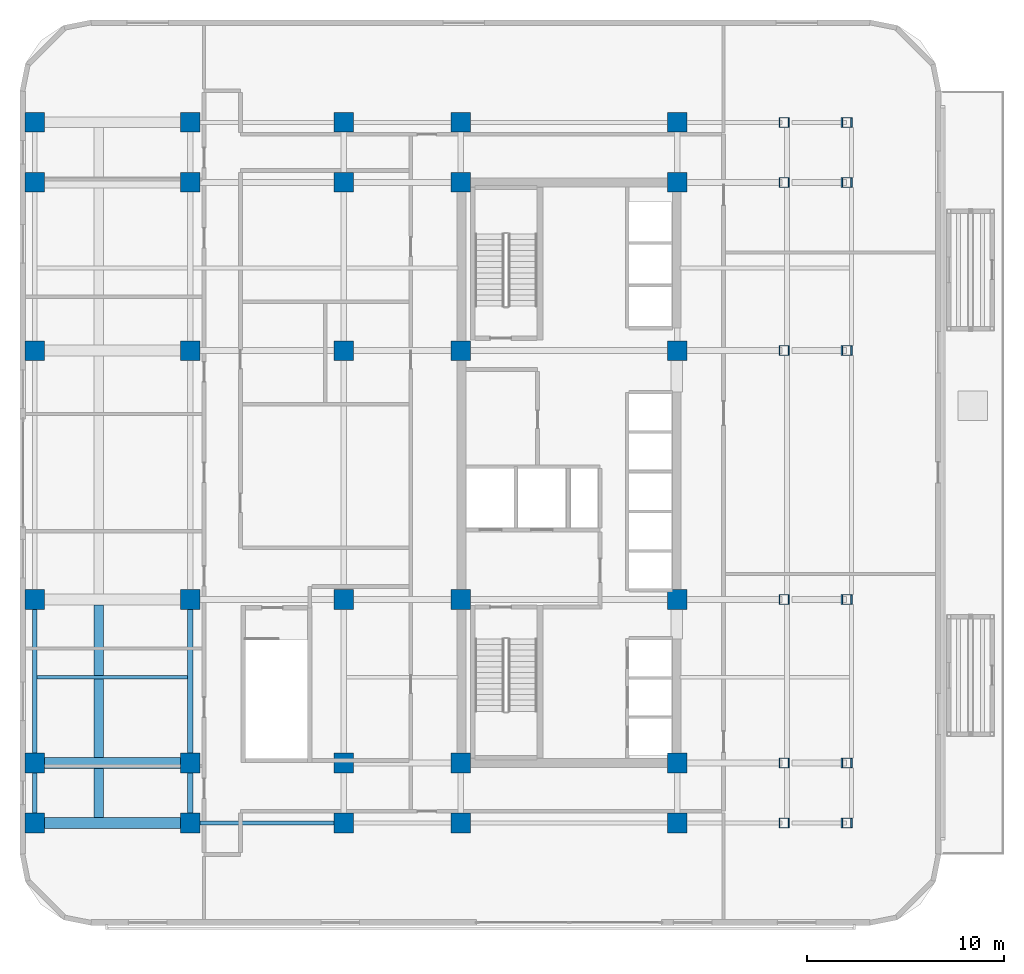
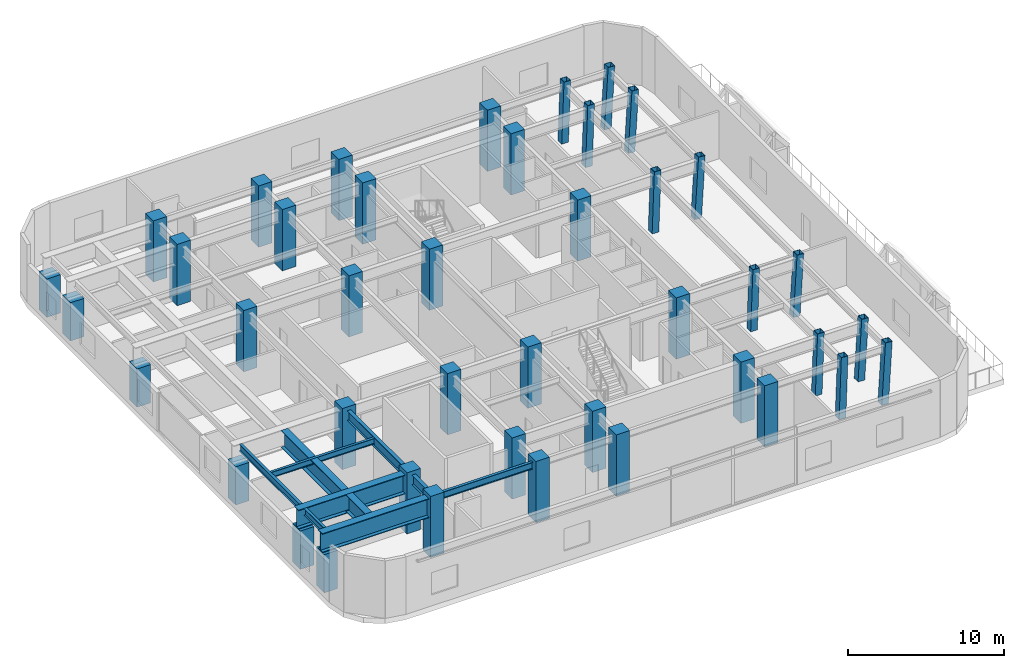
# One storey, part 1 of 18: 42 columns, 10 beams.
"""IFC4 building model written with IfcOpenShell, lengths in metres."""

from ifc_helpers import new_model, si_unit, direction, frame, origin, origin_2d, place, context, subcontext, project, spatial, rectangle, hollow_rectangle, i_section, extrude, material, material_profile, profile_set, type_object, element, save


model = new_model("IFC4")

# Units and contexts
model_context = context("Model", 3, precision=1e-05, world=origin(), true_north=direction((0.0, 1.0)))
body_context = subcontext(model_context, "Body", "Model", "MODEL_VIEW")
ifc_project = project(units=[si_unit("LENGTHUNIT", "METRE"), si_unit("AREAUNIT", "SQUARE_METRE"), si_unit("VOLUMEUNIT", "CUBIC_METRE"), si_unit("PLANEANGLEUNIT", "RADIAN"), si_unit("MASSUNIT", "GRAM", prefix="KILO")], contexts=[model_context])

# Site, building, storey
site_placement = place(None, origin())
site = spatial("IfcSite", under=ifc_project, at=site_placement, CompositionType="ELEMENT")
building_placement = place(site_placement, origin())
building = spatial("IfcBuilding", under=site, at=building_placement, Name="Ochreholt Gables", CompositionType="ELEMENT")
storey_placement = place(building_placement, frame((0.0, 0.0, 19.199951171875)))
storey = spatial("IfcBuildingStorey", under=building, at=storey_placement, Name="L04", CompositionType="ELEMENT", Elevation=19.199951171875)

# Columns
ifc_material_1 = material(Name="Steel CSA G40.21 350W", Category="steel")
ifc_material_profile_1 = material_profile(ifc_material_1, hollow_rectangle(XDim=0.5, YDim=0.5, WallThickness=0.02197265625, at=origin_2d()), Name="HSS500X500X22")
ifc_profile_set_1 = profile_set([ifc_material_profile_1], Name="Steel CSA G40.21 350W")
column_type_1 = type_object("IfcColumnType", Name="COL-HSS500-RAK", PredefinedType="COLUMN", material=ifc_profile_set_1)
for number, where, z_axis, x_axis, name in (
    (1, (40.60791015625, 9.25, 0.0), (0.034971728386, 0.0, 0.99938830202), (0.0, 1.0, 0.0), "L04 Column EMY2"),
    (2, (40.60791015625, 17.550048828125, 0.0), (0.034971728386, 0.0, 0.99938830202), (0.0, 1.0, 0.0), "L04 Column EMY3"),
    (3, (40.60791015625, 30.199951171875, 0.0), (0.034971728386, 0.0, 0.99938830202), (0.0, 1.0, 0.0), "L04 Column EMY4"),
    (4, (40.60791015625, 38.75, 0.0), (0.034971728386, 0.0, 0.99938830202), (0.0, 1.0, 0.0), "L04 Column EMY5"),
):
    element("IfcColumn", number, at=place(storey_placement, frame(where, z_axis=z_axis, x_axis=x_axis)), inside=storey, type_object=column_type_1, Name=name, PredefinedType="COLUMN", context=body_context, shape_type="SweptSolid", body=[
        extrude(hollow_rectangle(XDim=0.5, YDim=0.5, WallThickness=0.02197265625, at=origin_2d()), origin(), (0.0, 0.0, 1.0), 4.802978515625),
    ])
ifc_material_profile_2 = material_profile(ifc_material_1, hollow_rectangle(XDim=0.5, YDim=0.5, WallThickness=0.02197265625, at=origin_2d()), Name="HSS500X500X22")
ifc_profile_set_2 = profile_set([ifc_material_profile_2], Name="Steel CSA G40.21 350W")
column_type_2 = type_object("IfcColumnType", Name="COL-HSS500-RAKE", PredefinedType="COLUMN", material=ifc_profile_set_2)
for number, where, z_axis, x_axis, name in (
    (5, (40.60791015625, 6.199951171875, 0.0), (0.034971728386, 0.0, 0.99938830202), (0.0, 1.0, 0.0), "L04 Column EMY1"),
    (6, (40.60791015625, 41.800048828125, 0.0), (0.034971728386, 0.0, 0.99938830202), (0.0, 1.0, 0.0), "L04 Column EMY6"),
):
    element("IfcColumn", number, at=place(storey_placement, frame(where, z_axis=z_axis, x_axis=x_axis)), inside=storey, type_object=column_type_2, Name=name, PredefinedType="COLUMN", context=body_context, shape_type="SweptSolid", body=[
        extrude(hollow_rectangle(XDim=0.5, YDim=0.5, WallThickness=0.02197265625, at=origin_2d()), origin(), (0.0, 0.0, 1.0), 4.802978515625),
    ])
for number, where, z_axis, x_axis, name in (
    (7, (43.7705078125, 6.199951171875, 0.0), (0.057885584411, 0.0, 0.998323223769), (0.0, 1.0, 0.0), "L04 Column EEY1"),
    (8, (43.7705078125, 9.25, 0.0), (0.057885584411, 0.0, 0.998323223769), (0.0, 1.0, 0.0), "L04 Column EEY2"),
    (9, (43.7705078125, 17.550048828125, 0.0), (0.057885584411, 0.0, 0.998323223769), (0.0, 1.0, 0.0), "L04 Column EEY3"),
    (10, (43.7705078125, 30.199951171875, 0.0), (0.057885584411, 0.0, 0.998323223769), (0.0, 1.0, 0.0), "L04 Column EEY4"),
    (11, (43.7705078125, 38.75, 0.0), (0.057885584411, 0.0, 0.998323223769), (0.0, 1.0, 0.0), "L04 Column EEY5"),
    (12, (43.7705078125, 41.800048828125, 0.0), (0.057885584411, 0.0, 0.998323223769), (0.0, 1.0, 0.0), "L04 Column EEY6"),
):
    element("IfcColumn", number, at=place(storey_placement, frame(where, z_axis=z_axis, x_axis=x_axis)), inside=storey, type_object=column_type_2, Name=name, PredefinedType="COLUMN", context=body_context, shape_type="SweptSolid", body=[
        extrude(hollow_rectangle(XDim=0.5, YDim=0.5, WallThickness=0.02197265625, at=origin_2d()), origin(), (0.0, 0.0, 1.0), 4.80810546875),
    ])
ifc_material_2 = material(Name="Concrete 60 MPa", Category="concrete")
ifc_material_profile_3 = material_profile(ifc_material_2, rectangle(XDim=1.0, YDim=1.0, at=origin_2d()), Name="RC1000X1000")
ifc_profile_set_3 = profile_set([ifc_material_profile_3], Name="Concrete 60 MPa")
column_type_3 = type_object("IfcColumnType", Name="COL-RC1000-EXT", PredefinedType="COLUMN", material=ifc_profile_set_3)
for number, where, z_axis, x_axis, name in (
    (13, (2.550048828125, 6.199951171875, 0.0), (0.0, 0.0, 1.0), (1.0, 0.0, 0.0), "L04 Column W1Y1"),
    (14, (2.550048828125, 9.25, 0.0), (0.0, 0.0, 1.0), (1.0, 0.0, 0.0), "L04 Column W1Y2"),
    (15, (2.550048828125, 17.550048828125, 0.0), (0.0, 0.0, 1.0), (1.0, 0.0, 0.0), "L04 Column W1Y3"),
    (16, (2.550048828125, 30.199951171875, 0.0), (0.0, 0.0, 1.0), (1.0, 0.0, 0.0), "L04 Column W1Y4"),
    (17, (2.550048828125, 38.75, 0.0), (0.0, 0.0, 1.0), (1.0, 0.0, 0.0), "L04 Column W1Y5"),
    (18, (2.550048828125, 41.800048828125, 0.0), (0.0, 0.0, 1.0), (1.0, 0.0, 0.0), "L04 Column W1Y6"),
):
    element("IfcColumn", number, at=place(storey_placement, frame(where, z_axis=z_axis, x_axis=x_axis)), inside=storey, type_object=column_type_3, Name=name, PredefinedType="COLUMN", context=body_context, shape_type="SweptSolid", body=[
        extrude(rectangle(XDim=1.0, YDim=1.0, at=origin_2d()), origin(), (0.0, 0.0, 1.0), 3.0),
    ])
for number, where, z_axis, x_axis, name in (
    (19, (10.449951171875, 6.199951171875, 0.0), (0.0, 0.0, 1.0), (1.0, 0.0, 0.0), "L04 Column W2Y1"),
    (20, (10.449951171875, 41.800048828125, 0.0), (0.0, 0.0, 1.0), (1.0, 0.0, 0.0), "L04 Column W2Y6"),
    (21, (18.25, 6.199951171875, 0.0), (0.0, 0.0, 1.0), (1.0, 0.0, 0.0), "L04 Column W3Y1"),
    (22, (18.25, 41.800048828125, 0.0), (0.0, 0.0, 1.0), (1.0, 0.0, 0.0), "L04 Column W3Y6"),
    (23, (24.199951171875, 6.199951171875, 0.0), (0.0, 0.0, 1.0), (1.0, 0.0, 0.0), "L04 Column C1Y1"),
    (24, (24.199951171875, 41.800048828125, 0.0), (0.0, 0.0, 1.0), (1.0, 0.0, 0.0), "L04 Column C1Y6"),
    (25, (35.199951171875, 6.199951171875, 0.0), (0.0, 0.0, 1.0), (1.0, 0.0, 0.0), "L04 Column C2Y1"),
    (26, (35.199951171875, 41.800048828125, 0.0), (0.0, 0.0, 1.0), (1.0, 0.0, 0.0), "L04 Column C2Y6"),
):
    element("IfcColumn", number, at=place(storey_placement, frame(where, z_axis=z_axis, x_axis=x_axis)), inside=storey, type_object=column_type_3, Name=name, PredefinedType="COLUMN", context=body_context, shape_type="SweptSolid", body=[
        extrude(rectangle(XDim=1.0, YDim=1.0, at=origin_2d()), origin(), (0.0, 0.0, 1.0), 4.800048828125),
    ])
ifc_material_profile_4 = material_profile(ifc_material_2, rectangle(XDim=1.0, YDim=1.0, at=origin_2d()), Name="RC1000X1000")
ifc_profile_set_4 = profile_set([ifc_material_profile_4], Name="Concrete 60 MPa")
column_type_4 = type_object("IfcColumnType", Name="COL-RC1000-INT", PredefinedType="COLUMN", material=ifc_profile_set_4)
for number, where, z_axis, x_axis, name in (
    (27, (10.449951171875, 9.25, 0.0), (0.0, 0.0, 1.0), (1.0, 0.0, 0.0), "L04 Column W2Y2"),
    (28, (10.449951171875, 17.550048828125, 0.0), (0.0, 0.0, 1.0), (1.0, 0.0, 0.0), "L04 Column W2Y3"),
    (29, (10.449951171875, 30.199951171875, 0.0), (0.0, 0.0, 1.0), (1.0, 0.0, 0.0), "L04 Column W2Y4"),
    (30, (10.449951171875, 38.75, 0.0), (0.0, 0.0, 1.0), (1.0, 0.0, 0.0), "L04 Column W2Y5"),
    (31, (18.25, 9.25, 0.0), (0.0, 0.0, 1.0), (1.0, 0.0, 0.0), "L04 Column W3Y2"),
    (32, (18.25, 17.550048828125, 0.0), (0.0, 0.0, 1.0), (1.0, 0.0, 0.0), "L04 Column W3Y3"),
    (33, (18.25, 30.199951171875, 0.0), (0.0, 0.0, 1.0), (1.0, 0.0, 0.0), "L04 Column W3Y4"),
    (34, (18.25, 38.75, 0.0), (0.0, 0.0, 1.0), (1.0, 0.0, 0.0), "L04 Column W3Y5"),
    (35, (24.199951171875, 9.25, 0.0), (0.0, 0.0, 1.0), (1.0, 0.0, 0.0), "L04 Column C1Y2"),
    (36, (24.199951171875, 17.550048828125, 0.0), (0.0, 0.0, 1.0), (1.0, 0.0, 0.0), "L04 Column C1Y3"),
    (37, (24.199951171875, 30.199951171875, 0.0), (0.0, 0.0, 1.0), (1.0, 0.0, 0.0), "L04 Column C1Y4"),
    (38, (24.199951171875, 38.75, 0.0), (0.0, 0.0, 1.0), (1.0, 0.0, 0.0), "L04 Column C1Y5"),
    (39, (35.199951171875, 9.25, 0.0), (0.0, 0.0, 1.0), (1.0, 0.0, 0.0), "L04 Column C2Y2"),
    (40, (35.199951171875, 17.550048828125, 0.0), (0.0, 0.0, 1.0), (1.0, 0.0, 0.0), "L04 Column C2Y3"),
    (41, (35.199951171875, 30.199951171875, 0.0), (0.0, 0.0, 1.0), (1.0, 0.0, 0.0), "L04 Column C2Y4"),
    (42, (35.199951171875, 38.75, 0.0), (0.0, 0.0, 1.0), (1.0, 0.0, 0.0), "L04 Column C2Y5"),
):
    element("IfcColumn", number, at=place(storey_placement, frame(where, z_axis=z_axis, x_axis=x_axis)), inside=storey, type_object=column_type_4, Name=name, PredefinedType="COLUMN", context=body_context, shape_type="SweptSolid", body=[
        extrude(rectangle(XDim=1.0, YDim=1.0, at=origin_2d()), origin(), (0.0, 0.0, 1.0), 4.800048828125),
    ])

# Beams
ifc_material_profile_5 = material_profile(ifc_material_1, i_section(OverallWidth=0.26806640625, OverallDepth=0.77001953125, WebThickness=0.015625, FlangeThickness=0.025390625, at=origin_2d()), Name="W760X196")
ifc_profile_set_5 = profile_set([ifc_material_profile_5], Name="Steel CSA G40.21 350W")
beam_type_1 = type_object("IfcBeamType", Name="BM-G-W760", PredefinedType="BEAM", material=ifc_profile_set_5)
beam_1_placement = place(storey_placement, frame((10.449951171875, 6.69970703125, 4.114990234375), z_axis=(0.0, 1.0, 0.0), x_axis=(-1.0, 0.0, 0.0)))
element("IfcBeam", 43, at=beam_1_placement, inside=storey, type_object=beam_type_1, Name="L04 Beam BG-L04-W2-Y1Y2", PredefinedType="BEAM", context=body_context, shape_type="SweptSolid", body=[
    extrude(i_section(OverallWidth=0.26806640625, OverallDepth=0.77001953125, WebThickness=0.015625, FlangeThickness=0.025390625, at=origin_2d()), origin(), (0.0, 0.0, 1.0), 2.05078125),
])
beam_2_placement = place(storey_placement, frame((10.449951171875, 9.74951171875, 4.114990234375), z_axis=(0.0, 1.0, 0.0), x_axis=(-1.0, 0.0, 0.0)))
element("IfcBeam", 44, at=beam_2_placement, inside=storey, type_object=beam_type_1, Name="L04 Beam BG-L04-W2-Y2Y3", PredefinedType="BEAM", context=body_context, shape_type="SweptSolid", body=[
    extrude(i_section(OverallWidth=0.26806640625, OverallDepth=0.77001953125, WebThickness=0.015625, FlangeThickness=0.025390625, at=origin_2d()), origin(), (0.0, 0.0, 1.0), 7.30078125),
])
ifc_material_profile_6 = material_profile(ifc_material_1, i_section(OverallWidth=0.18994140625, OverallDepth=0.45703125, WebThickness=0.009033203125, FlangeThickness=0.014404296875, at=origin_2d()), Name="W460X74")
ifc_profile_set_6 = profile_set([ifc_material_profile_6], Name="Steel CSA G40.21 350W")
beam_type_2 = type_object("IfcBeamType", Name="BM-J-W460B", PredefinedType="JOIST", material=ifc_profile_set_6)
beam_3_placement = place(storey_placement, frame((2.654052734375, 13.60009765625, 4.271484375), z_axis=(1.0, 0.0, 0.0), x_axis=(0.0, 1.0, 0.0)))
element("IfcBeam", 45, at=beam_3_placement, inside=storey, type_object=beam_type_2, Name="L04 Beam BJ-L04-J1-W1W2", PredefinedType="JOIST", context=body_context, shape_type="SweptSolid", body=[
    extrude(i_section(OverallWidth=0.18994140625, OverallDepth=0.45703125, WebThickness=0.009033203125, FlangeThickness=0.014404296875, at=origin_2d()), origin(), (0.0, 0.0, 1.0), 7.662353515625),
])
ifc_material_profile_7 = material_profile(ifc_material_1, i_section(OverallWidth=0.208984375, OverallDepth=0.532958984375, WebThickness=0.01025390625, FlangeThickness=0.015625, at=origin_2d()), Name="W530X92")
ifc_profile_set_7 = profile_set([ifc_material_profile_7], Name="Steel CSA G40.21 350W")
beam_type_3 = type_object("IfcBeamType", Name="BM-SP-W530B", PredefinedType="SPANDREL", material=ifc_profile_set_7)
beam_4_placement = place(storey_placement, frame((10.94970703125, 6.199951171875, 4.233642578125), z_axis=(1.0, 0.0, 0.0), x_axis=(0.0, 1.0, 0.0)))
element("IfcBeam", 46, at=beam_4_placement, inside=storey, type_object=beam_type_3, Name="L04 Beam BG-L04-W2W3-Y1", PredefinedType="SPANDREL", context=body_context, shape_type="SweptSolid", body=[
    extrude(i_section(OverallWidth=0.208984375, OverallDepth=0.532958984375, WebThickness=0.01025390625, FlangeThickness=0.015625, at=origin_2d()), origin(), (0.0, 0.0, 1.0), 6.80078125),
])
beam_5_placement = place(storey_placement, frame((2.550048828125, 6.474609375, 4.233642578125), z_axis=(0.0, 1.0, 0.0), x_axis=(-1.0, 0.0, 0.0)))
element("IfcBeam", 47, at=beam_5_placement, inside=storey, type_object=beam_type_3, Name="L04 Beam BG-L04-W1-Y1Y2", PredefinedType="SPANDREL", context=body_context, shape_type="SweptSolid", body=[
    extrude(i_section(OverallWidth=0.208984375, OverallDepth=0.532958984375, WebThickness=0.01025390625, FlangeThickness=0.015625, at=origin_2d()), origin(), (0.0, 0.0, 1.0), 2.500732421875),
])
beam_6_placement = place(storey_placement, frame((2.550048828125, 9.524658203125, 4.233642578125), z_axis=(0.0, 1.0, 0.0), x_axis=(-1.0, 0.0, 0.0)))
element("IfcBeam", 48, at=beam_6_placement, inside=storey, type_object=beam_type_3, Name="L04 Beam BG-L04-W1-Y2Y3", PredefinedType="SPANDREL", context=body_context, shape_type="SweptSolid", body=[
    extrude(i_section(OverallWidth=0.208984375, OverallDepth=0.532958984375, WebThickness=0.01025390625, FlangeThickness=0.015625, at=origin_2d()), origin(), (0.0, 0.0, 1.0), 7.750732421875),
])
ifc_material_profile_8 = material_profile(ifc_material_1, i_section(OverallWidth=0.5, OverallDepth=1.35009765625, WebThickness=0.02490234375, FlangeThickness=0.044921875, at=origin_2d()), Name="WWF1350X500")
ifc_profile_set_8 = profile_set([ifc_material_profile_8], Name="Steel CSA G40.21 350W")
beam_type_4 = type_object("IfcBeamType", Name="BM-TR-WWF1350", PredefinedType="T_BEAM", material=ifc_profile_set_8)
beam_7_placement = place(storey_placement, frame((5.800048828125, 6.474609375, 3.824951171875), z_axis=(0.0, 1.0, 0.0), x_axis=(-1.0, 0.0, 0.0)))
element("IfcBeam", 49, at=beam_7_placement, inside=storey, type_object=beam_type_4, Name="L04 Beam TRG-NS-Y1Y2-L04", PredefinedType="T_BEAM", context=body_context, shape_type="SweptSolid", body=[
    extrude(i_section(OverallWidth=0.5, OverallDepth=1.35009765625, WebThickness=0.02490234375, FlangeThickness=0.044921875, at=origin_2d()), origin(), (0.0, 0.0, 1.0), 2.500732421875),
])
beam_8_placement = place(storey_placement, frame((5.800048828125, 9.524658203125, 3.824951171875), z_axis=(0.0, 1.0, 0.0), x_axis=(-1.0, 0.0, 0.0)))
element("IfcBeam", 50, at=beam_8_placement, inside=storey, type_object=beam_type_4, Name="L04 Beam TRG-NS-Y2Y3-L04", PredefinedType="T_BEAM", context=body_context, shape_type="SweptSolid", body=[
    extrude(i_section(OverallWidth=0.5, OverallDepth=1.35009765625, WebThickness=0.02490234375, FlangeThickness=0.044921875, at=origin_2d()), origin(), (0.0, 0.0, 1.0), 7.750732421875),
])
ifc_material_profile_9 = material_profile(ifc_material_1, i_section(OverallWidth=0.550048828125, OverallDepth=1.5, WebThickness=0.028076171875, FlangeThickness=0.050048828125, at=origin_2d()), Name="WWF1500X550")
ifc_profile_set_9 = profile_set([ifc_material_profile_9], Name="Steel CSA G40.21 350W")
beam_type_5 = type_object("IfcBeamType", Name="BM-TR-WWF1500", PredefinedType="T_BEAM", material=ifc_profile_set_9)
beam_9_placement = place(storey_placement, frame((2.050048828125, 9.25, 3.75), z_axis=(1.0, 0.0, 0.0), x_axis=(0.0, 1.0, 0.0)))
element("IfcBeam", 51, at=beam_9_placement, inside=storey, type_object=beam_type_5, Name="L04 Beam TRG-W-Y2-L04", PredefinedType="T_BEAM", context=body_context, shape_type="SweptSolid", body=[
    extrude(i_section(OverallWidth=0.550048828125, OverallDepth=1.5, WebThickness=0.028076171875, FlangeThickness=0.050048828125, at=origin_2d()), origin(), (0.0, 0.0, 1.0), 7.900390625),
])
ifc_material_profile_10 = material_profile(ifc_material_1, i_section(OverallWidth=0.550048828125, OverallDepth=1.5, WebThickness=0.028076171875, FlangeThickness=0.050048828125, at=origin_2d()), Name="WWF1500X550")
ifc_profile_set_10 = profile_set([ifc_material_profile_10], Name="Steel CSA G40.21 350W")
beam_type_6 = type_object("IfcBeamType", Name="BM-TR-WWF1500E", PredefinedType="T_BEAM", material=ifc_profile_set_10)
beam_10_placement = place(storey_placement, frame((2.050048828125, 6.199951171875, 3.75), z_axis=(1.0, 0.0, 0.0), x_axis=(0.0, 1.0, 0.0)))
element("IfcBeam", 52, at=beam_10_placement, inside=storey, type_object=beam_type_6, Name="L04 Beam TRG-W-Y1-L04", PredefinedType="T_BEAM", context=body_context, shape_type="SweptSolid", body=[
    extrude(i_section(OverallWidth=0.550048828125, OverallDepth=1.5, WebThickness=0.028076171875, FlangeThickness=0.050048828125, at=origin_2d()), origin(), (0.0, 0.0, 1.0), 7.900390625),
])

save(model, "model.ifc")
